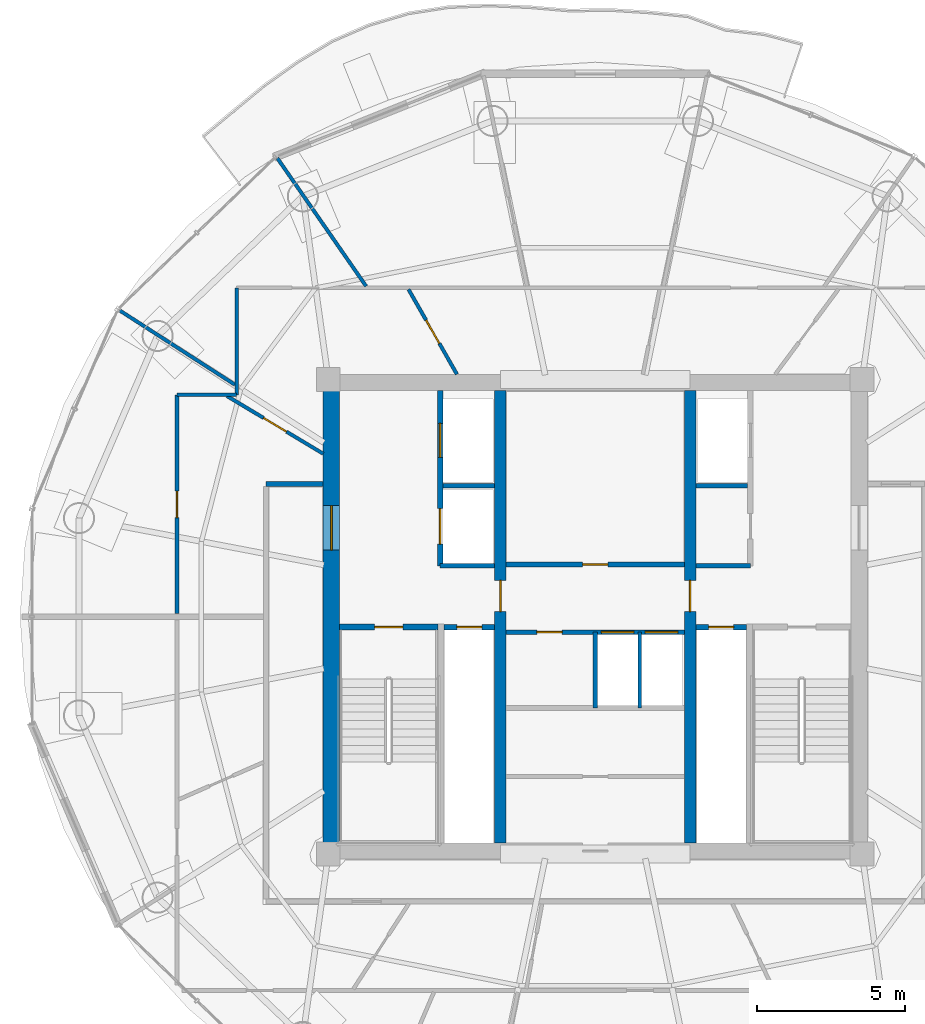
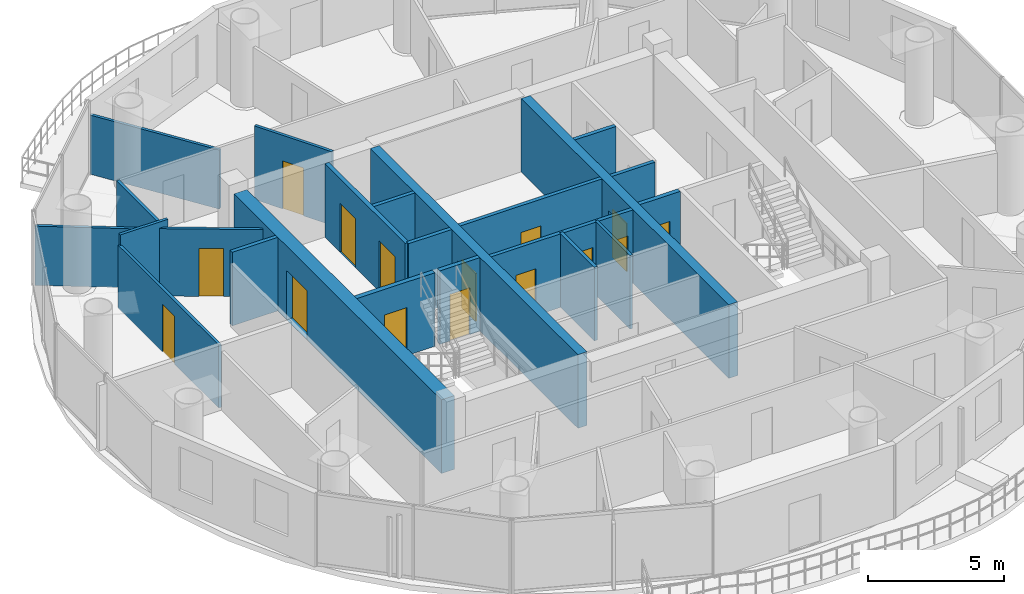
# One storey, part 18 of 23: 23 walls, 15 doors, 15 openings.
"""IFC4 building model written with IfcOpenShell, lengths in metres."""

from ifc_helpers import new_model, si_unit, direction, frame, frame_2d, origin, place, context, subcontext, project, spatial, rectangle, extrude, source, transform, mapped, material, layer, layer_set, type_object, element, fill, save


model = new_model("IFC4")

# Units and contexts
model_context = context("Model", 3, precision=1e-05, world=origin(), true_north=direction((-0.2419218956, 0.970295726276)))
body_context = subcontext(model_context, "Body", "Model", "MODEL_VIEW")
ifc_project = project(units=[si_unit("LENGTHUNIT", "METRE"), si_unit("AREAUNIT", "SQUARE_METRE"), si_unit("VOLUMEUNIT", "CUBIC_METRE"), si_unit("PLANEANGLEUNIT", "RADIAN"), si_unit("MASSUNIT", "GRAM", prefix="KILO")], contexts=[model_context])

# Site, building, storey
site_placement = place(None, origin())
site = spatial("IfcSite", under=ifc_project, at=site_placement, CompositionType="ELEMENT")
building_placement = place(site_placement, origin())
building = spatial("IfcBuilding", under=site, at=building_placement, Name="Cobrevalo Terracotta Tower", CompositionType="ELEMENT")
storey_placement = place(building_placement, frame((0.0, 0.0, 296.949951171875)))
storey = spatial("IfcBuildingStorey", under=building, at=storey_placement, Name="L78", CompositionType="ELEMENT", Elevation=296.949951171875)

# Wall, opening, door
ifc_material_1 = material(Name="Concrete C50", Category="concrete")
ifc_layer_1 = layer(ifc_material_1, 0.550048828125)
ifc_layer_set_1 = layer_set([ifc_layer_1], Name="Concrete C50")
wall_type_1 = type_object("IfcWallType", Name="Core shear wall 550 mm Concrete C50", PredefinedType="SHEAR", material=ifc_layer_set_1)
wall_1_placement = place(storey_placement, frame((29.10009765625, 19.175048828125, 0.0), z_axis=(0.0, 0.0, 1.0), x_axis=(0.0, 1.0, 0.0)))
wall_1 = element("IfcWall", 1, at=wall_1_placement, inside=storey, type_object=wall_type_1, Name="L78 west core shear wall", PredefinedType="SHEAR", context=body_context, shape_type="SweptSolid", body=[
    extrude(rectangle(XDim=15.25, YDim=0.550048828125, at=frame_2d((7.625, 0.0))), origin(), (0.0, 0.0, 1.0), 3.300048828125),
])
opening_1_placement = place(wall_1_placement, frame((9.875, 0.0, 0.0)))
opening_1 = element("IfcOpeningElement", 2, at=opening_1_placement, cuts=wall_1, Name="Opening ID-14", PredefinedType="OPENING", context=body_context, shape_type="SweptSolid", body=[
    extrude(rectangle(XDim=1.5, YDim=2.199951171875, at=frame_2d((0.75, 1.10009765625))), frame((0.0, 0.28515625, 0.0), z_axis=(0.0, -1.0, 0.0), x_axis=(1.0, 0.0, 0.0)), (0.0, 0.0, 1.0), 0.570068359375),
])
ifc_material_2 = material(Name="Galvanized fire-rated steel", Category="steel")
door_type_1 = type_object("IfcDoorType", Name="Core cross-lobby double fire door 1500x2200 EI 90", OperationType="NOTDEFINED", PredefinedType="DOOR", material=ifc_material_2)
shared_shape_1 = source(origin(), body_context, "Body", "SweptSolid", [
    extrude(rectangle(XDim=1.5, YDim=2.199951171875, at=frame_2d((0.75, 1.10009765625))), frame((0.0, 0.02490234375, 0.0), z_axis=(0.0, -1.0, 0.0), x_axis=(1.0, 0.0, 0.0)), (0.0, 0.0, 1.0), 0.050048828125),
])
door_1_placement = place(opening_1_placement, origin())
door_1 = element("IfcDoor", 3, at=door_1_placement, inside=storey, type_object=door_type_1, Name="L78 west firefighting lobby entrance door", OperationType="DOUBLE_DOOR_SINGLE_SWING", OverallHeight=2.199951171875, OverallWidth=1.5, PredefinedType="DOOR", context=body_context, shape_type="MappedRepresentation", body=[
    mapped(shared_shape_1, transform((0.0, 0.0, 0.0), scale=1.0)),
])
fill(opening_1, door_1)

# Walls
ifc_material_3 = material(Name="Gypsum board on steel stud", Category="steel")
ifc_layer_2 = layer(ifc_material_3, 0.159912109375)
ifc_layer_set_2 = layer_set([ifc_layer_2], Name="Gypsum board on steel stud")
wall_type_2 = type_object("IfcWallType", Name="Fire-rated corridor acoustic partition wall 160 mm", PredefinedType="PARTITIONING", material=ifc_layer_set_2)
wall_2_placement = place(storey_placement, frame((32.860107421875, 31.219970703125, 0.0), z_axis=(0.0, 0.0, 1.0), x_axis=(1.0, 0.0, 0.0)))
element("IfcWall", 4, at=wall_2_placement, inside=storey, type_object=wall_type_2, Name="L78 interior partition IW-L78-FF1-M", PredefinedType="PARTITIONING", context=body_context, shape_type="SweptSolid", body=[
    extrude(rectangle(XDim=1.75, YDim=0.159912109375, at=frame_2d((0.875, 0.0))), origin(), (0.0, 0.0, 1.0), 3.300048828125),
])
wall_3_placement = place(storey_placement, frame((32.77001953125, 28.52001953125, 0.0), z_axis=(0.0, 0.0, 1.0), x_axis=(1.0, 0.0, 0.0)))
element("IfcWall", 5, at=wall_3_placement, inside=storey, type_object=wall_type_2, Name="L78 interior partition IW-L78-FF1-S", PredefinedType="PARTITIONING", context=body_context, shape_type="SweptSolid", body=[
    extrude(rectangle(XDim=1.840087890625, YDim=0.159912109375, at=frame_2d((0.919921875, 0.0))), origin(), (0.0, 0.0, 1.0), 3.300048828125),
])
wall_4_placement = place(storey_placement, frame((41.389892578125, 31.219970703125, 0.0), z_axis=(0.0, 0.0, 1.0), x_axis=(1.0, 0.0, 0.0)))
element("IfcWall", 6, at=wall_4_placement, inside=storey, type_object=wall_type_2, Name="L78 interior partition IW-L78-FF2-M", PredefinedType="PARTITIONING", context=body_context, shape_type="SweptSolid", body=[
    extrude(rectangle(XDim=1.75, YDim=0.159912109375, at=frame_2d((0.875, 0.0))), origin(), (0.0, 0.0, 1.0), 3.300048828125),
])
wall_5_placement = place(storey_placement, frame((41.389892578125, 28.52001953125, 0.0), z_axis=(0.0, 0.0, 1.0), x_axis=(1.0, 0.0, 0.0)))
element("IfcWall", 7, at=wall_5_placement, inside=storey, type_object=wall_type_2, Name="L78 interior partition IW-L78-FF2-S", PredefinedType="PARTITIONING", context=body_context, shape_type="SweptSolid", body=[
    extrude(rectangle(XDim=1.840087890625, YDim=0.159912109375, at=frame_2d((0.919921875, 0.0))), origin(), (0.0, 0.0, 1.0), 3.300048828125),
])

# Wall, opening, door
wall_6_placement = place(storey_placement, frame((34.989990234375, 28.56005859375, 0.0), z_axis=(0.0, 0.0, 1.0), x_axis=(1.0, 0.0, 0.0)))
wall_6 = element("IfcWall", 8, at=wall_6_placement, inside=storey, type_object=wall_type_2, Name="L78 interior partition IW-L78-LB-S", PredefinedType="PARTITIONING", context=body_context, shape_type="SweptSolid", body=[
    extrude(rectangle(XDim=6.02001953125, YDim=0.159912109375, at=frame_2d((3.010009765625, 0.0))), origin(), (0.0, 0.0, 1.0), 3.300048828125),
])
opening_2_placement = place(wall_6_placement, frame((2.5849609375, 0.0, 0.0)))
opening_2 = element("IfcOpeningElement", 9, at=opening_2_placement, cuts=wall_6, Name="Opening ID-22", PredefinedType="OPENING", context=body_context, shape_type="SweptSolid", body=[
    extrude(rectangle(XDim=0.85009765625, YDim=2.10009765625, at=frame_2d((0.425048828125, 1.050048828125))), frame((0.0, 0.08984375, 0.0), z_axis=(0.0, -1.0, 0.0), x_axis=(1.0, 0.0, 0.0)), (0.0, 0.0, 1.0), 0.179931640625),
])
ifc_material_4 = material(Name="Powder-coated steel", Category="steel")
door_type_2 = type_object("IfcDoorType", Name="Riser shaft & meter closet fire access door 850x2100 EI 60", OperationType="NOTDEFINED", PredefinedType="DOOR", material=ifc_material_4)
shared_shape_2 = source(origin(), body_context, "Body", "SweptSolid", [
    extrude(rectangle(XDim=0.85009765625, YDim=2.10009765625, at=frame_2d((0.425048828125, 1.050048828125))), frame((0.0, 0.02490234375, 0.0), z_axis=(0.0, -1.0, 0.0), x_axis=(1.0, 0.0, 0.0)), (0.0, 0.0, 1.0), 0.050048828125),
])
door_2_placement = place(opening_2_placement, origin())
door_2 = element("IfcDoor", 10, at=door_2_placement, inside=storey, type_object=door_type_2, Name="L78 core service door Floor Electrical Switchroom", OperationType="SINGLE_SWING_LEFT", OverallHeight=2.10009765625, OverallWidth=0.85009765625, PredefinedType="DOOR", context=body_context, shape_type="MappedRepresentation", body=[
    mapped(shared_shape_2, transform((0.0, 0.0, 0.0), scale=1.0)),
])
fill(opening_2, door_2)

# Wall, openings, doors
wall_7_placement = place(storey_placement, frame((34.989990234375, 26.280029296875, 0.0), z_axis=(0.0, 0.0, 1.0), x_axis=(1.0, 0.0, 0.0)))
wall_7 = element("IfcWall", 11, at=wall_7_placement, inside=storey, type_object=wall_type_2, Name="L78 interior partition IW-L78-MB-N", PredefinedType="PARTITIONING", context=body_context, shape_type="SweptSolid", body=[
    extrude(rectangle(XDim=6.02001953125, YDim=0.159912109375, at=frame_2d((3.010009765625, 0.0))), origin(), (0.0, 0.0, 1.0), 3.300048828125),
])
opening_3_placement = place(wall_7_placement, frame((1.044921875, 0.0, 0.0)))
opening_3 = element("IfcOpeningElement", 12, at=opening_3_placement, cuts=wall_7, Name="Opening ID-22", PredefinedType="OPENING", context=body_context, shape_type="SweptSolid", body=[
    extrude(rectangle(XDim=0.85009765625, YDim=2.10009765625, at=frame_2d((0.425048828125, 1.050048828125))), frame((0.0, 0.08984375, 0.0), z_axis=(0.0, -1.0, 0.0), x_axis=(1.0, 0.0, 0.0)), (0.0, 0.0, 1.0), 0.179931640625),
])
opening_4_placement = place(wall_7_placement, frame((3.215087890625, 0.0, 0.0)))
opening_4 = element("IfcOpeningElement", 13, at=opening_4_placement, cuts=wall_7, Name="Opening LD-01", PredefinedType="OPENING", context=body_context, shape_type="SweptSolid", body=[
    extrude(rectangle(XDim=1.10009765625, YDim=2.199951171875, at=frame_2d((0.550048828125, 1.10009765625))), frame((0.0, 0.08984375, 0.0), z_axis=(0.0, -1.0, 0.0), x_axis=(1.0, 0.0, 0.0)), (0.0, 0.0, 1.0), 0.179931640625),
])
opening_5_placement = place(wall_7_placement, frame((4.695068359375, 0.0, 0.0)))
opening_5 = element("IfcOpeningElement", 14, at=opening_5_placement, cuts=wall_7, Name="Opening LD-01", PredefinedType="OPENING", context=body_context, shape_type="SweptSolid", body=[
    extrude(rectangle(XDim=1.10009765625, YDim=2.199951171875, at=frame_2d((0.550048828125, 1.10009765625))), frame((0.0, 0.08984375, 0.0), z_axis=(0.0, -1.0, 0.0), x_axis=(1.0, 0.0, 0.0)), (0.0, 0.0, 1.0), 0.179931640625),
])
door_3_placement = place(opening_3_placement, frame((0.85009765625, 0.0, 0.0), z_axis=(0.0, 0.0, 1.0), x_axis=(-1.0, 0.0, 0.0)))
door_3 = element("IfcDoor", 15, at=door_3_placement, inside=storey, type_object=door_type_2, Name="L78 core room door High-Rise Core Linen and Equipment Store", OperationType="SINGLE_SWING_RIGHT", OverallHeight=2.10009765625, OverallWidth=0.85009765625, PredefinedType="DOOR", context=body_context, shape_type="MappedRepresentation", body=[
    mapped(shared_shape_2, transform((0.0, 0.0, 0.0), scale=1.0)),
])
fill(opening_3, door_3)
ifc_material_5 = material(Name="Brushed stainless steel", Category="steel")
door_type_3 = type_object("IfcDoorType", Name="Passenger lift landing bi-parting sliding door 1100x2200 EI 90", OperationType="DOUBLE_DOOR_SLIDING", PredefinedType="DOOR", material=ifc_material_5)
shared_shape_3 = source(origin(), body_context, "Body", "SweptSolid", [
    extrude(rectangle(XDim=1.10009765625, YDim=2.199951171875, at=frame_2d((0.550048828125, 1.10009765625))), frame((0.0, 0.02490234375, 0.0), z_axis=(0.0, -1.0, 0.0), x_axis=(1.0, 0.0, 0.0)), (0.0, 0.0, 1.0), 0.050048828125),
])
door_4_placement = place(opening_4_placement, origin())
door_4 = element("IfcDoor", 16, at=door_4_placement, inside=storey, type_object=door_type_3, Name="L78 lift landing door PL-H1", OperationType="DOUBLE_DOOR_SLIDING", OverallHeight=2.199951171875, OverallWidth=1.10009765625, PredefinedType="DOOR", context=body_context, shape_type="MappedRepresentation", body=[
    mapped(shared_shape_3, transform((0.0, 0.0, 0.0), scale=1.0)),
])
fill(opening_4, door_4)
door_5_placement = place(opening_5_placement, origin())
door_5 = element("IfcDoor", 17, at=door_5_placement, inside=storey, type_object=door_type_3, Name="L78 lift landing door PL-H2", OperationType="DOUBLE_DOOR_SLIDING", OverallHeight=2.199951171875, OverallWidth=1.10009765625, PredefinedType="DOOR", context=body_context, shape_type="MappedRepresentation", body=[
    mapped(shared_shape_3, transform((0.0, 0.0, 0.0), scale=1.0)),
])
fill(opening_5, door_5)

# Wall
wall_8_placement = place(storey_placement, frame((26.89501953125, 31.280029296875, 0.0), z_axis=(0.0, 0.0, 1.0), x_axis=(1.0, 0.0, 0.0)))
element("IfcWall", 18, at=wall_8_placement, inside=storey, type_object=wall_type_2, Name="L78 interior partition IW-L78-COR-WN-CAP", PredefinedType="PARTITIONING", context=body_context, shape_type="SweptSolid", body=[
    extrude(rectangle(XDim=1.929931640625, YDim=0.159912109375, at=frame_2d((0.96484375, 0.0))), origin(), (0.0, 0.0, 1.0), 3.300048828125),
])

# Wall, opening, door
ifc_layer_3 = layer(ifc_material_3, 0.179931640625)
ifc_layer_set_3 = layer_set([ifc_layer_3], Name="Gypsum board on steel stud")
wall_type_3 = type_object("IfcWallType", Name="Fire-rated shaft & lobby acoustic partition wall 180 mm", PredefinedType="PARTITIONING", material=ifc_layer_set_3)
wall_9_placement = place(storey_placement, frame((32.89990234375, 26.449951171875, 0.0), z_axis=(0.0, 0.0, 1.0), x_axis=(1.0, 0.0, 0.0)))
wall_9 = element("IfcWall", 19, at=wall_9_placement, inside=storey, type_object=wall_type_3, Name="L78 interior partition IW-L78-RSW-N", PredefinedType="PARTITIONING", context=body_context, shape_type="SweptSolid", body=[
    extrude(rectangle(XDim=1.710205078125, YDim=0.179931640625, at=frame_2d((0.85498046875, 0.0))), origin(), (0.0, 0.0, 1.0), 3.300048828125),
])
opening_6_placement = place(wall_9_placement, frame((0.429931640625, 0.0, 0.0)))
opening_6 = element("IfcOpeningElement", 20, at=opening_6_placement, cuts=wall_9, Name="Opening ID-22", PredefinedType="OPENING", context=body_context, shape_type="SweptSolid", body=[
    extrude(rectangle(XDim=0.85009765625, YDim=2.10009765625, at=frame_2d((0.425048828125, 1.050048828125))), frame((0.0, 0.10009765625, 0.0), z_axis=(0.0, -1.0, 0.0), x_axis=(1.0, 0.0, 0.0)), (0.0, 0.0, 1.0), 0.199951171875),
])
door_6_placement = place(opening_6_placement, origin())
door_6 = element("IfcDoor", 21, at=door_6_placement, inside=storey, type_object=door_type_2, Name="L78 riser access door RSW", OperationType="SINGLE_SWING_LEFT", OverallHeight=2.10009765625, OverallWidth=0.85009765625, PredefinedType="DOOR", context=body_context, shape_type="MappedRepresentation", body=[
    mapped(shared_shape_2, transform((0.0, 0.0, 0.0), scale=1.0)),
])
fill(opening_6, door_6)

wall_10_placement = place(storey_placement, frame((41.389892578125, 26.449951171875, 0.0), z_axis=(0.0, 0.0, 1.0), x_axis=(1.0, 0.0, 0.0)))
wall_10 = element("IfcWall", 22, at=wall_10_placement, inside=storey, type_object=wall_type_3, Name="L78 interior partition IW-L78-RSE-N", PredefinedType="PARTITIONING", context=body_context, shape_type="SweptSolid", body=[
    extrude(rectangle(XDim=1.710205078125, YDim=0.179931640625, at=frame_2d((0.85498046875, 0.0))), origin(), (0.0, 0.0, 1.0), 3.300048828125),
])
opening_7_placement = place(wall_10_placement, frame((0.429931640625, 0.0, 0.0)))
opening_7 = element("IfcOpeningElement", 23, at=opening_7_placement, cuts=wall_10, Name="Opening ID-22", PredefinedType="OPENING", context=body_context, shape_type="SweptSolid", body=[
    extrude(rectangle(XDim=0.85009765625, YDim=2.10009765625, at=frame_2d((0.425048828125, 1.050048828125))), frame((0.0, 0.10009765625, 0.0), z_axis=(0.0, -1.0, 0.0), x_axis=(1.0, 0.0, 0.0)), (0.0, 0.0, 1.0), 0.199951171875),
])
door_7_placement = place(opening_7_placement, origin())
door_7 = element("IfcDoor", 24, at=door_7_placement, inside=storey, type_object=door_type_2, Name="L78 riser access door RSE", OperationType="SINGLE_SWING_RIGHT", OverallHeight=2.10009765625, OverallWidth=0.85009765625, PredefinedType="DOOR", context=body_context, shape_type="MappedRepresentation", body=[
    mapped(shared_shape_2, transform((0.0, 0.0, 0.0), scale=1.0)),
])
fill(opening_7, door_7)

# Wall, openings, doors
wall_11_placement = place(storey_placement, frame((32.77001953125, 28.52001953125, 0.0), z_axis=(0.0, 0.0, 1.0), x_axis=(0.0, 1.0, 0.0)))
wall_11 = element("IfcWall", 25, at=wall_11_placement, inside=storey, type_object=wall_type_3, Name="L78 interior partition IW-L78-FF1-W", PredefinedType="PARTITIONING", context=body_context, shape_type="SweptSolid", body=[
    extrude(rectangle(XDim=5.905029296875, YDim=0.179931640625, at=frame_2d((2.95263671875, 0.0))), origin(), (0.0, 0.0, 1.0), 3.300048828125),
])
opening_8_placement = place(wall_11_placement, frame((3.655029296875, 0.0, 0.0)))
opening_8 = element("IfcOpeningElement", 26, at=opening_8_placement, cuts=wall_11, Name="Opening LD-02", PredefinedType="OPENING", context=body_context, shape_type="SweptSolid", body=[
    extrude(rectangle(XDim=1.14990234375, YDim=2.199951171875, at=frame_2d((0.574951171875, 1.10009765625))), frame((0.0, 0.10009765625, 0.0), z_axis=(0.0, -1.0, 0.0), x_axis=(1.0, 0.0, 0.0)), (0.0, 0.0, 1.0), 0.199951171875),
])
opening_9_placement = place(wall_11_placement, frame((0.72998046875, 0.0, 0.0)))
opening_9 = element("IfcOpeningElement", 27, at=opening_9_placement, cuts=wall_11, Name="Opening LD-03", PredefinedType="OPENING", context=body_context, shape_type="SweptSolid", body=[
    extrude(rectangle(XDim=1.199951171875, YDim=2.25, at=frame_2d((0.60009765625, 1.125))), frame((0.0, 0.10009765625, 0.0), z_axis=(0.0, -1.0, 0.0), x_axis=(1.0, 0.0, 0.0)), (0.0, 0.0, 1.0), 0.199951171875),
])
door_type_4 = type_object("IfcDoorType", Name="Firefighting lift landing bi-parting sliding door 1150x2200 EI 120", OperationType="DOUBLE_DOOR_SLIDING", PredefinedType="DOOR", material=ifc_material_5)
shared_shape_4 = source(origin(), body_context, "Body", "SweptSolid", [
    extrude(rectangle(XDim=1.14990234375, YDim=2.199951171875, at=frame_2d((0.574951171875, 1.10009765625))), frame((0.0, 0.02490234375, 0.0), z_axis=(0.0, -1.0, 0.0), x_axis=(1.0, 0.0, 0.0)), (0.0, 0.0, 1.0), 0.050048828125),
])
door_8_placement = place(opening_8_placement, origin())
door_8 = element("IfcDoor", 28, at=door_8_placement, inside=storey, type_object=door_type_4, Name="L78 lift landing door FF-1", OperationType="DOUBLE_DOOR_SLIDING", OverallHeight=2.199951171875, OverallWidth=1.14990234375, PredefinedType="DOOR", context=body_context, shape_type="MappedRepresentation", body=[
    mapped(shared_shape_4, transform((0.0, 0.0, 0.0), scale=1.0)),
])
fill(opening_8, door_8)
door_type_5 = type_object("IfcDoorType", Name="Service lift landing bi-parting sliding door 1200x2250 EI 120", OperationType="DOUBLE_DOOR_SLIDING", PredefinedType="DOOR", material=ifc_material_5)
shared_shape_5 = source(origin(), body_context, "Body", "SweptSolid", [
    extrude(rectangle(XDim=1.199951171875, YDim=2.25, at=frame_2d((0.60009765625, 1.125))), frame((0.0, 0.02490234375, 0.0), z_axis=(0.0, -1.0, 0.0), x_axis=(1.0, 0.0, 0.0)), (0.0, 0.0, 1.0), 0.050048828125),
])
door_9_placement = place(opening_9_placement, origin())
door_9 = element("IfcDoor", 29, at=door_9_placement, inside=storey, type_object=door_type_5, Name="L78 lift landing door SV-1", OperationType="DOUBLE_DOOR_SLIDING", OverallHeight=2.25, OverallWidth=1.199951171875, PredefinedType="DOOR", context=body_context, shape_type="MappedRepresentation", body=[
    mapped(shared_shape_5, transform((0.0, 0.0, 0.0), scale=1.0)),
])
fill(opening_9, door_9)

# Wall
ifc_material_6 = material(Name="Autoclaved aerated concrete block", Category="concrete")
ifc_layer_4 = layer(ifc_material_6, 0.1201171875)
ifc_layer_set_4 = layer_set([ifc_layer_4], Name="Autoclaved aerated concrete block")
wall_type_4 = type_object("IfcWallType", Name="Fire-rated wet-room & core service partition 120 mm", PredefinedType="PARTITIONING", material=ifc_layer_set_4)
wall_12_placement = place(storey_placement, frame((39.5, 23.719970703125, 0.0), z_axis=(0.0, 0.0, 1.0), x_axis=(0.0, 1.0, 0.0)))
element("IfcWall", 30, at=wall_12_placement, inside=storey, type_object=wall_type_4, Name="L78 interior partition IW-L78-MB-D3", PredefinedType="PARTITIONING", context=body_context, shape_type="SweptSolid", body=[
    extrude(rectangle(XDim=2.56005859375, YDim=0.1201171875, at=frame_2d((1.280029296875, 0.0))), origin(), (0.0, 0.0, 1.0), 3.300048828125),
])

# Wall, opening, door
ifc_layer_5 = layer(ifc_material_1, 0.3798828125)
ifc_layer_set_5 = layer_set([ifc_layer_5], Name="Concrete C50")
wall_type_5 = type_object("IfcWallType", Name="Internal core shear web wall 380 mm Concrete C50", PredefinedType="SHEAR", material=ifc_layer_set_5)
wall_13_placement = place(storey_placement, frame((34.800048828125, 19.175048828125, 0.0), z_axis=(0.0, 0.0, 1.0), x_axis=(0.0, 1.0, 0.0)))
wall_13 = element("IfcWall", 31, at=wall_13_placement, inside=storey, type_object=wall_type_5, Name="L78 internal core shear wall WEB-W", PredefinedType="SHEAR", context=body_context, shape_type="SweptSolid", body=[
    extrude(rectangle(XDim=15.25, YDim=0.3798828125, at=frame_2d((7.625, 0.0))), origin(), (0.0, 0.0, 1.0), 3.300048828125),
])
opening_10_placement = place(wall_13_placement, frame((7.800048828125, 0.0, 0.0)))
opening_10 = element("IfcOpeningElement", 32, at=opening_10_placement, cuts=wall_13, Name="Opening ID-11", PredefinedType="OPENING", context=body_context, shape_type="SweptSolid", body=[
    extrude(rectangle(XDim=1.050048828125, YDim=2.14990234375, at=frame_2d((0.52490234375, 1.074951171875))), frame((0.0, 0.199951171875, 0.0), z_axis=(0.0, -1.0, 0.0), x_axis=(1.0, 0.0, 0.0)), (0.0, 0.0, 1.0), 0.39990234375),
])
door_type_6 = type_object("IfcDoorType", Name="Core concourse cross fire door 1050x2150 EI 90", OperationType="NOTDEFINED", PredefinedType="DOOR", material=ifc_material_2)
shared_shape_6 = source(origin(), body_context, "Body", "SweptSolid", [
    extrude(rectangle(XDim=1.050048828125, YDim=2.14990234375, at=frame_2d((0.52490234375, 1.074951171875))), frame((0.0, 0.02490234375, 0.0), z_axis=(0.0, -1.0, 0.0), x_axis=(1.0, 0.0, 0.0)), (0.0, 0.0, 1.0), 0.050048828125),
])
door_10_placement = place(opening_10_placement, origin())
door_10 = element("IfcDoor", 33, at=door_10_placement, inside=storey, type_object=door_type_6, Name="L78 west core concourse cross door", OperationType="SINGLE_SWING_LEFT", OverallHeight=2.14990234375, OverallWidth=1.050048828125, PredefinedType="DOOR", context=body_context, shape_type="MappedRepresentation", body=[
    mapped(shared_shape_6, transform((0.0, 0.0, 0.0), scale=1.0)),
])
fill(opening_10, door_10)

wall_14_placement = place(storey_placement, frame((41.199951171875, 19.175048828125, 0.0), z_axis=(0.0, 0.0, 1.0), x_axis=(0.0, 1.0, 0.0)))
wall_14 = element("IfcWall", 34, at=wall_14_placement, inside=storey, type_object=wall_type_5, Name="L78 internal core shear wall WEB-E", PredefinedType="SHEAR", context=body_context, shape_type="SweptSolid", body=[
    extrude(rectangle(XDim=15.25, YDim=0.3798828125, at=frame_2d((7.625, 0.0))), origin(), (0.0, 0.0, 1.0), 3.300048828125),
])
opening_11_placement = place(wall_14_placement, frame((7.800048828125, 0.0, 0.0)))
opening_11 = element("IfcOpeningElement", 35, at=opening_11_placement, cuts=wall_14, Name="Opening ID-11", PredefinedType="OPENING", context=body_context, shape_type="SweptSolid", body=[
    extrude(rectangle(XDim=1.050048828125, YDim=2.14990234375, at=frame_2d((0.52490234375, 1.074951171875))), frame((0.0, 0.199951171875, 0.0), z_axis=(0.0, -1.0, 0.0), x_axis=(1.0, 0.0, 0.0)), (0.0, 0.0, 1.0), 0.39990234375),
])
door_11_placement = place(opening_11_placement, frame((1.050048828125, 0.0, 0.0), z_axis=(0.0, 0.0, 1.0), x_axis=(-1.0, 0.0, 0.0)))
door_11 = element("IfcDoor", 36, at=door_11_placement, inside=storey, type_object=door_type_6, Name="L78 east core concourse cross door", OperationType="SINGLE_SWING_RIGHT", OverallHeight=2.14990234375, OverallWidth=1.050048828125, PredefinedType="DOOR", context=body_context, shape_type="MappedRepresentation", body=[
    mapped(shared_shape_6, transform((0.0, 0.0, 0.0), scale=1.0)),
])
fill(opening_11, door_11)

# Wall
ifc_layer_6 = layer(ifc_material_6, 0.139892578125)
ifc_layer_set_6 = layer_set([ifc_layer_6], Name="Autoclaved aerated concrete block")
wall_type_6 = type_object("IfcWallType", Name="Moisture-resistant wet-room & core service partition 140 mm", PredefinedType="PARTITIONING", material=ifc_layer_set_6)
wall_15_placement = place(storey_placement, frame((38.0, 23.719970703125, 0.0), z_axis=(0.0, 0.0, 1.0), x_axis=(0.0, 1.0, 0.0)))
element("IfcWall", 37, at=wall_15_placement, inside=storey, type_object=wall_type_6, Name="L78 interior partition IW-L78-MB-D2", PredefinedType="PARTITIONING", context=body_context, shape_type="SweptSolid", body=[
    extrude(rectangle(XDim=2.56005859375, YDim=0.139892578125, at=frame_2d((1.280029296875, 0.0))), origin(), (0.0, 0.0, 1.0), 3.300048828125),
])

# Wall, opening, door
ifc_layer_7 = layer(ifc_material_3, 0.1201171875)
ifc_layer_set_7 = layer_set([ifc_layer_7], Name="Gypsum board on steel stud")
wall_type_7 = type_object("IfcWallType", Name="Residential internal acoustic stud partition 120 mm", PredefinedType="PARTITIONING", material=ifc_layer_set_7)
wall_16_placement = place(storey_placement, frame((23.89501953125, 26.902099609375, 0.0), z_axis=(0.0, 0.0, 1.0), x_axis=(0.0, 1.0, 0.0)))
wall_16 = element("IfcWall", 38, at=wall_16_placement, inside=storey, type_object=wall_type_7, Name="L78 interior partition IW-L78-U1-RING0_0", PredefinedType="PARTITIONING", context=body_context, shape_type="SweptSolid", body=[
    extrude(rectangle(XDim=7.3779296875, YDim=0.1201171875, at=frame_2d((3.68896484375, 0.0))), origin(), (0.0, 0.0, 1.0), 2.824951171875),
])
opening_12_placement = place(wall_16_placement, frame((3.239013671875, 0.0, 0.0)))
opening_12 = element("IfcOpeningElement", 39, at=opening_12_placement, cuts=wall_16, Name="Opening ID-12", PredefinedType="OPENING", context=body_context, shape_type="SweptSolid", body=[
    extrude(rectangle(XDim=0.89990234375, YDim=2.14990234375, at=frame_2d((0.449951171875, 1.074951171875))), frame((0.0, 0.070068359375, 0.0), z_axis=(0.0, -1.0, 0.0), x_axis=(1.0, 0.0, 0.0)), (0.0, 0.0, 1.0), 0.14013671875),
])
ifc_material_7 = material(Name="Engineered timber", Category="wood")
door_type_7 = type_object("IfcDoorType", Name="Internal residence & suite timber door 900x2150", OperationType="NOTDEFINED", PredefinedType="DOOR", material=ifc_material_7)
shared_shape_7 = source(origin(), body_context, "Body", "SweptSolid", [
    extrude(rectangle(XDim=0.89990234375, YDim=2.14990234375, at=frame_2d((0.449951171875, 1.074951171875))), frame((0.0, 0.02490234375, 0.0), z_axis=(0.0, -1.0, 0.0), x_axis=(1.0, 0.0, 0.0)), (0.0, 0.0, 1.0), 0.050048828125),
])
door_12_placement = place(opening_12_placement, origin())
door_12 = element("IfcDoor", 40, at=door_12_placement, inside=storey, type_object=door_type_7, Name="Flat L78A Private Cinema Room internal door", OperationType="SINGLE_SWING_RIGHT", OverallHeight=2.14990234375, OverallWidth=0.89990234375, PredefinedType="DOOR", context=body_context, shape_type="MappedRepresentation", body=[
    mapped(shared_shape_7, transform((0.0, 0.0, 0.0), scale=1.0)),
])
fill(opening_12, door_12)

# Walls
wall_17_placement = place(storey_placement, frame((23.89501953125, 34.280029296875, 0.0), z_axis=(0.0, 0.0, 1.0), x_axis=(1.0, 0.0, 0.0)))
element("IfcWall", 41, at=wall_17_placement, inside=storey, type_object=wall_type_7, Name="L78 interior partition IW-L78-U1-RING1_0", PredefinedType="PARTITIONING", context=body_context, shape_type="SweptSolid", body=[
    extrude(rectangle(XDim=2.010009765625, YDim=0.1201171875, at=frame_2d((1.0048828125, 0.0))), origin(), (0.0, 0.0, 1.0), 3.300048828125),
])
wall_18_placement = place(storey_placement, frame((25.905029296875, 34.280029296875, 0.0), z_axis=(0.0, 0.0, 1.0), x_axis=(0.0, 1.0, 0.0)))
element("IfcWall", 42, at=wall_18_placement, inside=storey, type_object=wall_type_7, Name="L78 interior partition IW-L78-U1-RING2_0", PredefinedType="PARTITIONING", context=body_context, shape_type="SweptSolid", body=[
    extrude(rectangle(XDim=3.614990234375, YDim=0.1201171875, at=frame_2d((1.8076171875, 0.0))), origin(), (0.0, 0.0, 1.0), 2.824951171875),
])
wall_19_placement = place(storey_placement, frame((30.273681640625, 37.946044921875, 0.0), z_axis=(0.0, 0.0, 1.0), x_axis=(-0.569678410446, 0.821867695357, 0.0)))
element("IfcWall", 43, at=wall_19_placement, inside=storey, type_object=wall_type_7, Name="L78 interior partition IW-L78-U1-ORAD4", PredefinedType="PARTITIONING", context=body_context, shape_type="SweptSolid", body=[
    extrude(rectangle(XDim=5.256591796875, YDim=0.1201171875, at=frame_2d((2.62841796875, 0.0))), origin(), (0.0, 0.0, 1.0), 2.650146484375),
])
wall_20_placement = place(storey_placement, frame((25.852783203125, 34.62353515625, 0.0), z_axis=(0.0, 0.0, 1.0), x_axis=(-0.840694066929, 0.541510374628, 0.0)))
element("IfcWall", 44, at=wall_20_placement, inside=storey, type_object=wall_type_7, Name="L78 interior partition IW-L78-U1-ORAD5", PredefinedType="PARTITIONING", context=body_context, shape_type="SweptSolid", body=[
    extrude(rectangle(XDim=4.637451171875, YDim=0.1201171875, at=frame_2d((2.31884765625, 0.0))), origin(), (0.0, 0.0, 1.0), 2.650146484375),
])

# Wall, opening, door
wall_21_placement = place(storey_placement, frame((33.33642578125, 34.976806640625, 0.0), z_axis=(0.0, 0.0, 1.0), x_axis=(-0.495413156231, 0.86865747256, 0.0)))
wall_21 = element("IfcWall", 45, at=wall_21_placement, inside=storey, type_object=wall_type_7, Name="L78 interior partition IW-L78-U1-IRAD4", PredefinedType="PARTITIONING", context=body_context, shape_type="SweptSolid", body=[
    extrude(rectangle(XDim=3.29736328125, YDim=0.1201171875, at=frame_2d((1.648681640625, 0.0))), origin(), (0.0, 0.0, 1.0), 3.300048828125),
])
opening_13_placement = place(wall_21_placement, frame((1.19873046875, 0.0, 0.0)))
opening_13 = element("IfcOpeningElement", 46, at=opening_13_placement, cuts=wall_21, Name="Opening ID-12", PredefinedType="OPENING", context=body_context, shape_type="SweptSolid", body=[
    extrude(rectangle(XDim=0.89990234375, YDim=2.14990234375, at=frame_2d((0.449951171875, 1.074951171875))), frame((0.0, 0.070068359375, 0.0), z_axis=(0.0, -1.0, 0.0), x_axis=(1.0, 0.0, 0.0)), (0.0, 0.0, 1.0), 0.14013671875),
])
door_13_placement = place(opening_13_placement, origin())
door_13 = element("IfcDoor", 47, at=door_13_placement, inside=storey, type_object=door_type_7, Name="Flat L78A Private Library Meeting Room internal door", OperationType="SINGLE_SWING_LEFT", OverallHeight=2.14990234375, OverallWidth=0.89990234375, PredefinedType="DOOR", context=body_context, shape_type="MappedRepresentation", body=[
    mapped(shared_shape_7, transform((0.0, 0.0, 0.0), scale=1.0)),
])
fill(opening_13, door_13)

wall_22_placement = place(storey_placement, frame((28.824951171875, 32.299560546875, 0.0), z_axis=(0.0, 0.0, 1.0), x_axis=(-0.857737223377, 0.514088373369, 0.0)))
wall_22 = element("IfcWall", 48, at=wall_22_placement, inside=storey, type_object=wall_type_7, Name="L78 interior partition IW-L78-U1-IRAD5", PredefinedType="PARTITIONING", context=body_context, shape_type="SweptSolid", body=[
    extrude(rectangle(XDim=3.790283203125, YDim=0.1201171875, at=frame_2d((1.89501953125, 0.0))), origin(), (0.0, 0.0, 1.0), 3.01904296875),
])
opening_14_placement = place(wall_22_placement, frame((1.445068359375, 0.0, 0.0)))
opening_14 = element("IfcOpeningElement", 49, at=opening_14_placement, cuts=wall_22, Name="Opening ID-12", PredefinedType="OPENING", context=body_context, shape_type="SweptSolid", body=[
    extrude(rectangle(XDim=0.89990234375, YDim=2.14990234375, at=frame_2d((0.449951171875, 1.074951171875))), frame((0.0, 0.070068359375, 0.0), z_axis=(0.0, -1.0, 0.0), x_axis=(1.0, 0.0, 0.0)), (0.0, 0.0, 1.0), 0.14013671875),
])
door_14_placement = place(opening_14_placement, origin())
door_14 = element("IfcDoor", 50, at=door_14_placement, inside=storey, type_object=door_type_7, Name="Flat L78A Private Cinema Lounge internal door", OperationType="SINGLE_SWING_RIGHT", OverallHeight=2.14990234375, OverallWidth=0.89990234375, PredefinedType="DOOR", context=body_context, shape_type="MappedRepresentation", body=[
    mapped(shared_shape_7, transform((0.0, 0.0, 0.0), scale=1.0)),
])
fill(opening_14, door_14)

ifc_layer_8 = layer(ifc_material_1, 0.199951171875)
ifc_layer_set_8 = layer_set([ifc_layer_8], Name="Concrete C50")
wall_type_8 = type_object("IfcWallType", Name="Structural core & podium stair-shaft RC wall 200 mm Concrete C50", PredefinedType="SOLIDWALL", material=ifc_layer_set_8)
wall_23_placement = place(storey_placement, frame((29.375, 26.449951171875, 0.0), z_axis=(0.0, 0.0, 1.0), x_axis=(1.0, 0.0, 0.0)))
wall_23 = element("IfcWall", 51, at=wall_23_placement, inside=storey, type_object=wall_type_8, Name="L78 ST-1 north structural shaft wall", PredefinedType="SOLIDWALL", context=body_context, shape_type="SweptSolid", body=[
    extrude(rectangle(XDim=3.320068359375, YDim=0.199951171875, at=frame_2d((1.66015625, 0.0))), origin(), (0.0, 0.0, 1.0), 3.300048828125),
])
opening_15_placement = place(wall_23_placement, frame((1.18505859375, 0.0, 0.0)))
opening_15 = element("IfcOpeningElement", 52, at=opening_15_placement, cuts=wall_23, Name="Opening ID-04", PredefinedType="OPENING", context=body_context, shape_type="SweptSolid", body=[
    extrude(rectangle(XDim=0.949951171875, YDim=2.14990234375, at=frame_2d((0.47509765625, 1.074951171875))), frame((0.0, 0.10986328125, 0.0), z_axis=(0.0, -1.0, 0.0), x_axis=(1.0, 0.0, 0.0)), (0.0, 0.0, 1.0), 0.219970703125),
])
door_type_8 = type_object("IfcDoorType", Name="Stair & firefighting lobby fire door 950x2150 EI 90", OperationType="NOTDEFINED", PredefinedType="DOOR", material=ifc_material_2)
shared_shape_8 = source(origin(), body_context, "Body", "SweptSolid", [
    extrude(rectangle(XDim=0.949951171875, YDim=2.14990234375, at=frame_2d((0.47509765625, 1.074951171875))), frame((0.0, 0.02490234375, 0.0), z_axis=(0.0, -1.0, 0.0), x_axis=(1.0, 0.0, 0.0)), (0.0, 0.0, 1.0), 0.050048828125),
])
door_15_placement = place(opening_15_placement, origin())
door_15 = element("IfcDoor", 53, at=door_15_placement, inside=storey, type_object=door_type_8, Name="L78 protected stair ST1 fire door", OperationType="SINGLE_SWING_LEFT", OverallHeight=2.14990234375, OverallWidth=0.949951171875, PredefinedType="DOOR", context=body_context, shape_type="MappedRepresentation", body=[
    mapped(shared_shape_8, transform((0.0, 0.0, 0.0), scale=1.0)),
])
fill(opening_15, door_15)

save(model, "model.ifc")
